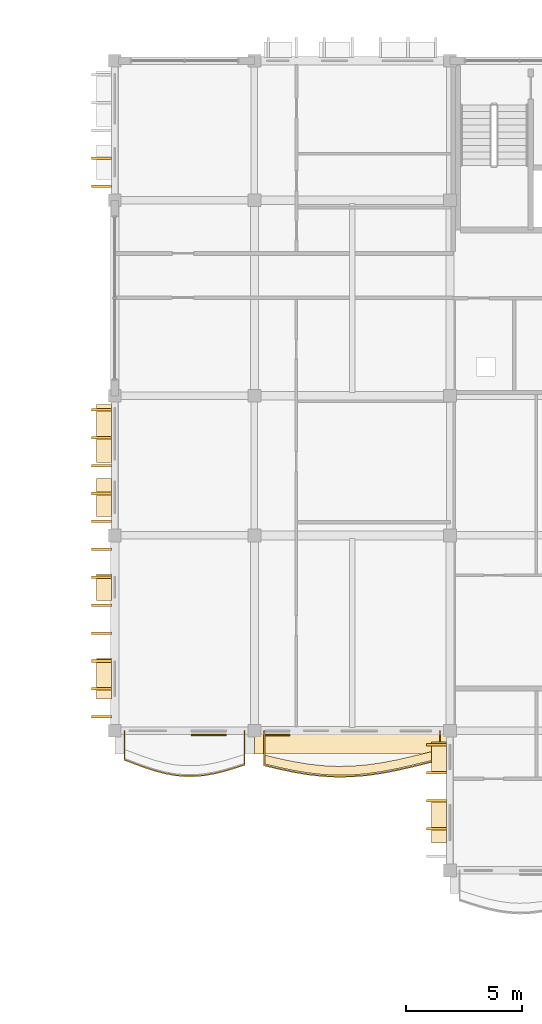
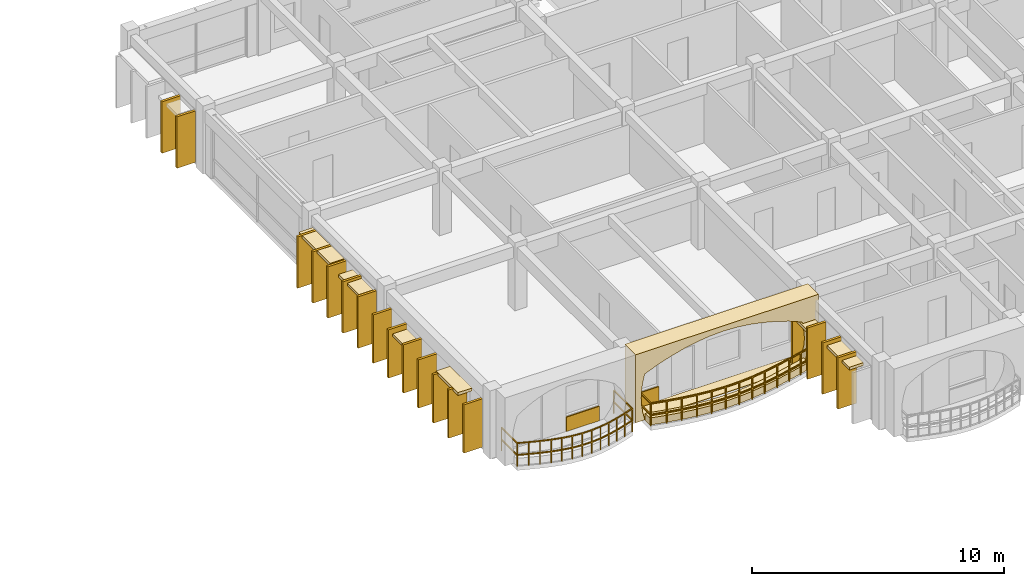
# One storey, part 70 of 79: 28 coverings, 2 railings.
"""IFC4 building model written with IfcOpenShell, lengths in metres."""

import ifcopenshell
import ifcopenshell.guid

model = None  # the IFC model being written
_history = None  # IfcOwnerHistory: only IFC2X3 demands one
_inside = {}  # id of a spatial element -> (the spatial element, [elements in it])
_under = {}  # id of a project, library or spatial element -> (it, [spatial elements below it])
_declared = {}  # id of a project -> (the project, [libraries it declares])
_typed = {}  # id of a type object -> (the type object, [elements of that type])
_made_of = {}  # id of a material, layer set ... -> (it, [elements and type objects made of it])


def new_model(schema):
    """Start an empty IFC model of exactly this schema.

    Asked for "IFC4X3", IfcOpenShell would pick the latest addendum, in which some entities
    have other attributes; the version numbers below select the first issue.
    IFC2X3 requires an IfcOwnerHistory on every rooted entity: one is made here for all.
    """
    global model, _history
    if schema == "IFC4X3":
        model = ifcopenshell.file(schema_version=(4, 3, 0, 0))
    else:
        model = ifcopenshell.file(schema=schema)
    _inside.clear()
    _under.clear()
    _declared.clear()
    _typed.clear()
    _made_of.clear()
    _history = None
    if model.schema == "IFC2X3":
        org = make("IfcOrganization", Name="unknown")
        user = make(
            "IfcPersonAndOrganization",
            ThePerson=make("IfcPerson", FamilyName="unknown"),
            TheOrganization=org,
        )
        app = make(
            "IfcApplication",
            ApplicationDeveloper=org,
            Version="unknown",
            ApplicationFullName="unknown",
            ApplicationIdentifier="unknown",
        )
        _history = make(
            "IfcOwnerHistory",
            OwningUser=user,
            OwningApplication=app,
            ChangeAction="ADDED",
            CreationDate=0,
        )
    return model


def make(cls, **values):
    """One entity of the class cls with the attributes given. An attribute that is None is left unset."""
    return model.create_entity(
        cls, **{name: value for name, value in values.items() if value is not None}
    )


def rooted(cls, **values):
    """An entity with a GlobalId (a new one), such as an element, a storey or a relation."""
    return make(cls, GlobalId=ifcopenshell.guid.new(), OwnerHistory=_history, **values)


def si_unit(unit_type, name, prefix=None):
    """IfcSIUnit, for example si_unit("LENGTHUNIT", "METRE", prefix="MILLI")."""
    return make("IfcSIUnit", UnitType=unit_type, Prefix=prefix, Name=name)


def assignment(units):
    """IfcUnitAssignment: the units of a project."""
    return None if units is None else make("IfcUnitAssignment", Units=units)


def point(xyz):
    """IfcCartesianPoint."""
    return None if xyz is None else make("IfcCartesianPoint", Coordinates=xyz)


def direction(xyz):
    """IfcDirection."""
    return None if xyz is None else make("IfcDirection", DirectionRatios=xyz)


def frame(location, z_axis=None, x_axis=None):
    """IfcAxis2Placement3D, a coordinate frame: its origin and axes. An axis left out is left unset."""
    return make(
        "IfcAxis2Placement3D",
        Location=point(location),
        Axis=direction(z_axis),
        RefDirection=direction(x_axis),
    )


def frame_2d(location, x_axis=None):
    """IfcAxis2Placement2D, a coordinate frame in the plane: its origin and x axis."""
    return make(
        "IfcAxis2Placement2D", Location=point(location), RefDirection=direction(x_axis)
    )


def origin():
    """The frame at (0, 0, 0) with its axes left unset."""
    return frame((0.0, 0.0, 0.0))


def origin_2d():
    """The frame at (0, 0) in the plane with its x axis left unset."""
    return frame_2d((0.0, 0.0))


def place(relative_to, where):
    """IfcLocalPlacement: puts the frame where relative to a parent placement (None: the world)."""
    return make(
        "IfcLocalPlacement", PlacementRelTo=relative_to, RelativePlacement=where
    )


def context(
    kind, dimensions, precision=None, world=None, true_north=None, identifier=None
):
    """IfcGeometricRepresentationContext, for example the 3D "Model" context."""
    return make(
        "IfcGeometricRepresentationContext",
        ContextIdentifier=identifier,
        ContextType=kind,
        CoordinateSpaceDimension=dimensions,
        Precision=precision,
        WorldCoordinateSystem=world,
        TrueNorth=true_north,
    )


def subcontext(parent, identifier, kind, view, scale=None):
    """IfcGeometricRepresentationSubContext, for example "Body" below "Model"."""
    return make(
        "IfcGeometricRepresentationSubContext",
        ContextIdentifier=identifier,
        ContextType=kind,
        ParentContext=parent,
        TargetScale=scale,
        TargetView=view,
    )


def project(units=None, contexts=None):
    """IfcProject with its units and contexts."""
    return rooted(
        "IfcProject",
        Name="project",
        RepresentationContexts=contexts,
        UnitsInContext=assignment(units),
    )


def spatial(cls, under=None, at=None, **own):
    """A site, building, storey or space (cls), placed at a placement, below another one or the project."""
    s = rooted(cls, ObjectPlacement=at, **own)
    if under is not None:
        _under.setdefault(under.id(), (under, []))[1].append(s)
    return s


def polyline(points):
    """IfcPolyline through the points."""
    return make("IfcPolyline", Points=[point(p) for p in points])


def profile(cls, at=None, kind="AREA", **sizes):
    """A parametric profile (cls). Its sizes go by their IFC names, for example OverallWidth=200.0."""
    return make(cls, ProfileType=kind, Position=at, **sizes)


def rectangle(**sizes):
    """IfcRectangleProfileDef."""
    return profile("IfcRectangleProfileDef", **sizes)


def outline(outer, holes=None, kind="AREA"):
    """IfcArbitraryClosedProfileDef: a profile drawn as a closed curve; with holes, ...WithVoids."""
    if holes is None:
        return make("IfcArbitraryClosedProfileDef", ProfileType=kind, OuterCurve=outer)
    return make(
        "IfcArbitraryProfileDefWithVoids",
        ProfileType=kind,
        OuterCurve=outer,
        InnerCurves=holes,
    )


def extrude(swept, where, along, depth):
    """IfcExtrudedAreaSolid: the profile swept, set in the frame where, extruded along a direction by depth."""
    return make(
        "IfcExtrudedAreaSolid",
        SweptArea=swept,
        Position=where,
        ExtrudedDirection=direction(along),
        Depth=depth,
    )


def shape(context_of_items, identifier, shape_type, items):
    """IfcShapeRepresentation: the items that make up one representation, for example the "Body"."""
    return make(
        "IfcShapeRepresentation",
        ContextOfItems=context_of_items,
        RepresentationIdentifier=identifier,
        RepresentationType=shape_type,
        Items=items,
    )


def material(Name=None, Category=None):
    """IfcMaterial."""
    return make("IfcMaterial", Name=Name, Category=Category)


def layer(
    of_material, thickness, ventilated=None, Name=None, Category=None, Priority=None
):
    """IfcMaterialLayer: one layer of a wall or slab, of a material (None: an air gap)."""
    return make(
        "IfcMaterialLayer",
        Material=of_material,
        LayerThickness=thickness,
        IsVentilated=ventilated,
        Name=Name,
        Category=Category,
        Priority=Priority,
    )


def layer_set(layers, Name=None):
    """IfcMaterialLayerSet."""
    return make("IfcMaterialLayerSet", MaterialLayers=layers, LayerSetName=Name)


def made_of(thing, what):
    """Note that an element or type object is made of a material, layer set ...; save() writes the relation."""
    if what is not None:
        _made_of.setdefault(what.id(), (what, []))[1].append(thing)
    return thing


def type_object(cls, material=None, **own):
    """A type object (cls), such as IfcWallType, which elements share."""
    return made_of(rooted(cls, **own), material)


def element(
    cls,
    number,
    at=None,
    inside=None,
    cuts=None,
    type_object=None,
    material=None,
    context=None,
    identifier="Body",
    shape_type=None,
    held_by="IfcProductDefinitionShape",
    body=None,
    shapes=None,
    **own,
):
    """One element of the class cls, such as IfcWall. Its Tag is "e" and its number.

    at: its placement. inside: the storey or other place that contains it. cuts: it is an
    opening in that element (IfcRelVoidsElement). A single representation is given by context,
    identifier, shape_type and body (its items); several are given by shapes. held_by: the class
    of the entity that holds the representations. save() writes the other relations.
    """
    e = rooted(cls, Tag="e%d" % number, ObjectPlacement=at, **own)
    if body is not None:
        shapes = [shape(context, identifier, shape_type, body)]
    if shapes is not None:
        e.Representation = make(held_by, Representations=shapes)
    if inside is not None:
        _inside.setdefault(inside.id(), (inside, []))[1].append(e)
    if cuts is not None:
        rooted(
            "IfcRelVoidsElement", RelatingBuildingElement=cuts, RelatedOpeningElement=e
        )
    if type_object is not None:
        _typed.setdefault(type_object.id(), (type_object, []))[1].append(e)
    return made_of(e, material)


def aggregate(whole, parts):
    """IfcRelAggregates: a whole, such as a stair, and the parts it consists of."""
    return rooted("IfcRelAggregates", RelatingObject=whole, RelatedObjects=parts)


def save(model, path):
    """Write the relations noted so far, then the file.

    IfcRelAggregates (storeys below a building ...), IfcRelContainedInSpatialStructure (elements
    in a storey), IfcRelDefinesByType, IfcRelAssociatesMaterial and IfcRelDeclares: one each for
    every whole, place, type object, material and project.
    """
    for whole, parts in _under.values():
        aggregate(whole, parts)
    for where, things in _inside.values():
        rooted(
            "IfcRelContainedInSpatialStructure",
            RelatedElements=things,
            RelatingStructure=where,
        )
    for kind, things in _typed.values():
        rooted("IfcRelDefinesByType", RelatedObjects=things, RelatingType=kind)
    for what, things in _made_of.values():
        rooted("IfcRelAssociatesMaterial", RelatedObjects=things, RelatingMaterial=what)
    for by, libraries in _declared.values():
        rooted("IfcRelDeclares", RelatingContext=by, RelatedDefinitions=libraries)
    model.write(path)


model = new_model("IFC4")

# Units and contexts
model_context = context("Model", 3, precision=1e-05, world=origin(), true_north=direction((0.0, 1.0)))
body_context = subcontext(model_context, "Body", "Model", "MODEL_VIEW")
ifc_project = project(units=[si_unit("LENGTHUNIT", "METRE"), si_unit("AREAUNIT", "SQUARE_METRE"), si_unit("VOLUMEUNIT", "CUBIC_METRE"), si_unit("PLANEANGLEUNIT", "RADIAN"), si_unit("MASSUNIT", "GRAM", prefix="KILO"), si_unit("THERMODYNAMICTEMPERATUREUNIT", "KELVIN")], contexts=[model_context])

# Site, building, storey
site_placement = place(None, origin())
site = spatial("IfcSite", under=ifc_project, at=site_placement, CompositionType="ELEMENT")
building_placement = place(site_placement, origin())
building = spatial("IfcBuilding", under=site, at=building_placement, Name="Thalorik Housing Commons", CompositionType="ELEMENT")
storey_placement = place(building_placement, frame((0.0, 0.0, 11.39990234375)))
storey = spatial("IfcBuildingStorey", under=building, at=storey_placement, Name="L03", CompositionType="ELEMENT", Elevation=11.39990234375)

# Coverings
ifc_material_1 = material(Name="Cobalt blue glazed ceramic facade tile panel", Category="masonry")
ifc_layer_1 = layer(ifc_material_1, 0.06005859375, Name="Cobalt blue glazed ceramic facade tile panel", Category="masonry")
ifc_layer_set_1 = layer_set([ifc_layer_1], Name="Cobalt blue glazed ceramic facade tile panel")
covering_type_1 = type_object("IfcCoveringType", Name="ARC-CLD-BLU-60", PredefinedType="CLADDING", material=ifc_layer_set_1)
covering_1_placement = place(storey_placement, frame((142.0400390625, 43.02001953125, 0.05029296875), z_axis=(0.0, 0.0, 1.0), x_axis=(1.0, 0.0, 0.0)))
element("IfcCovering", 1, at=covering_1_placement, inside=storey, type_object=covering_type_1, Name="L03 De Stijl Recessed Window Spandrel 4724", PredefinedType="CLADDING", context=body_context, shape_type="SweptSolid", body=[
    extrude(rectangle(XDim=1.52001953125, YDim=0.06005859375, at=origin_2d()), origin(), (0.0, 0.0, 1.0), 0.699951171875),
])
ifc_material_2 = material(Name="Precast concrete C40/50", Category="concrete")
ifc_layer_2 = layer(ifc_material_2, 0.85009765625, Name="Precast concrete C40/50", Category="concrete")
ifc_layer_set_2 = layer_set([ifc_layer_2], Name="Precast concrete C40/50")
covering_type_2 = type_object("IfcCoveringType", Name="ARC-CLD-CUSH-850", PredefinedType="CLADDING", material=ifc_layer_set_2)
covering_2_placement = place(storey_placement, frame((148.199951171875, 42.6298828125, 0.0), z_axis=(0.0, 0.0, 1.0), x_axis=(1.0, 0.0, 0.0)))
element("IfcCovering", 2, at=covering_2_placement, inside=storey, type_object=covering_type_2, Name="L03 White Precast Curved Cushion Bay Frame 4725", PredefinedType="CLADDING", context=body_context, shape_type="SweptSolid", body=[
    extrude(outline(polyline([(-4.199951171875, 0.0), (4.199951171875, 0.0), (4.199951171875, 3.300048828125), (-4.199951171875, 3.300048828125), (-4.199951171875, 0.0)]), holes=[polyline([(3.43994140625, 0.02490234375), (3.6123046875, 0.390869140625), (3.715576171875, 0.756591796875), (3.75, 1.12255859375), (3.715576171875, 1.48828125), (3.6123046875, 1.854248046875), (3.43994140625, 2.219970703125), (2.83837890625, 2.469482421875), (2.23681640625, 2.66552734375), (1.635009765625, 2.824462890625), (1.033203125, 2.9423828125), (0.431640625, 3.015380859375), (-0.169921875, 3.0400390625), (-0.771728515625, 3.015380859375), (-1.373291015625, 2.9423828125), (-1.97509765625, 2.824462890625), (-2.57666015625, 2.66552734375), (-3.17822265625, 2.469482421875), (-3.780029296875, 2.219970703125), (-3.86865234375, 1.854248046875), (-3.921875, 1.48828125), (-3.939697265625, 1.12255859375), (-3.921875, 0.756591796875), (-3.86865234375, 0.390869140625), (-3.780029296875, 0.02490234375), (3.43994140625, 0.02490234375)])]), frame((0.0, 0.425048828125, 0.0), z_axis=(0.0, -1.0, 0.0), x_axis=(1.0, 0.0, 0.0)), (0.0, 0.0, 1.0), 0.85009765625),
])
ifc_layer_3 = layer(ifc_material_2, 0.85009765625, Name="Precast concrete C40/50", Category="concrete")
ifc_layer_set_3 = layer_set([ifc_layer_3], Name="Precast concrete C40/50")
covering_type_3 = type_object("IfcCoveringType", Name="ARC-CLD-FIN-850", PredefinedType="CLADDING", material=ifc_layer_set_3)
for number, where, z_axis, x_axis, name in (
    (3, (137.429931640625, 67.800048828125, 0.0400390625), (0.0, 0.0, 1.0), (0.0, -1.0, 0.0), "L03 Courtyard Precast Vertical Brise-Soleil Fin 4703"),
    (4, (137.429931640625, 66.60009765625, 0.0400390625), (0.0, 0.0, 1.0), (0.0, -1.0, 0.0), "L03 Courtyard Precast Vertical Brise-Soleil Fin 4704"),
    (5, (137.429931640625, 57.0, 0.0400390625), (0.0, 0.0, 1.0), (0.0, -1.0, 0.0), "L03 Courtyard Precast Vertical Brise-Soleil Fin 4707"),
    (6, (137.429931640625, 55.800048828125, 0.0400390625), (0.0, 0.0, 1.0), (0.0, -1.0, 0.0), "L03 Courtyard Precast Vertical Brise-Soleil Fin 4708"),
    (7, (137.429931640625, 54.60009765625, 0.0400390625), (0.0, 0.0, 1.0), (0.0, -1.0, 0.0), "L03 Courtyard Precast Vertical Brise-Soleil Fin 4709"),
    (8, (137.429931640625, 53.39990234375, 0.0400390625), (0.0, 0.0, 1.0), (0.0, -1.0, 0.0), "L03 Courtyard Precast Vertical Brise-Soleil Fin 4710"),
    (9, (137.429931640625, 52.199951171875, 0.0400390625), (0.0, 0.0, 1.0), (0.0, -1.0, 0.0), "L03 Courtyard Precast Vertical Brise-Soleil Fin 4711"),
):
    element("IfcCovering", number, at=place(storey_placement, frame(where, z_axis=z_axis, x_axis=x_axis)), inside=storey, type_object=covering_type_3, Name=name, PredefinedType="CLADDING", context=body_context, shape_type="SweptSolid", body=[
        extrude(rectangle(XDim=0.110107421875, YDim=0.85009765625, at=origin_2d()), origin(), (0.0, 0.0, 1.0), 2.4951171875),
    ])
for number, where, z_axis, x_axis, name in (
    (10, (137.429931640625, 51.0, 0.0400390625), (0.0, 0.0, 1.0), (0.0, -1.0, 0.0), "L03 Courtyard Precast Vertical Brise-Soleil Fin 4714"),
    (11, (137.429931640625, 49.800048828125, 0.0400390625), (0.0, 0.0, 1.0), (0.0, -1.0, 0.0), "L03 Courtyard Precast Vertical Brise-Soleil Fin 4715"),
    (12, (137.429931640625, 48.60009765625, 0.0400390625), (0.0, 0.0, 1.0), (0.0, -1.0, 0.0), "L03 Courtyard Precast Vertical Brise-Soleil Fin 4716"),
    (13, (137.429931640625, 47.39990234375, 0.0400390625), (0.0, 0.0, 1.0), (0.0, -1.0, 0.0), "L03 Courtyard Precast Vertical Brise-Soleil Fin 4717"),
    (14, (137.429931640625, 46.199951171875, 0.0400390625), (0.0, 0.0, 1.0), (0.0, -1.0, 0.0), "L03 Courtyard Precast Vertical Brise-Soleil Fin 4718"),
    (15, (137.429931640625, 45.0, 0.0400390625), (0.0, 0.0, 1.0), (0.0, -1.0, 0.0), "L03 Courtyard Precast Vertical Brise-Soleil Fin 4719"),
    (16, (137.429931640625, 43.800048828125, 0.0400390625), (0.0, 0.0, 1.0), (0.0, -1.0, 0.0), "L03 Courtyard Precast Vertical Brise-Soleil Fin 4720"),
):
    element("IfcCovering", number, at=place(storey_placement, frame(where, z_axis=z_axis, x_axis=x_axis)), inside=storey, type_object=covering_type_3, Name=name, PredefinedType="CLADDING", context=body_context, shape_type="SweptSolid", body=[
        extrude(rectangle(XDim=0.110107421875, YDim=0.85009765625, at=origin_2d()), origin(), (0.0, 0.0, 1.0), 2.344970703125),
    ])
for number, where, z_axis, x_axis, name in (
    (17, (151.830078125, 42.60009765625, 0.0400390625), (0.0, 0.0, 1.0), (0.0, -1.0, 0.0), "L03 Courtyard Precast Vertical Brise-Soleil Fin 4727"),
    (18, (151.830078125, 41.39990234375, 0.0400390625), (0.0, 0.0, 1.0), (0.0, -1.0, 0.0), "L03 Courtyard Precast Vertical Brise-Soleil Fin 4728"),
    (19, (151.830078125, 40.199951171875, 0.0400390625), (0.0, 0.0, 1.0), (0.0, -1.0, 0.0), "L03 Courtyard Precast Vertical Brise-Soleil Fin 4729"),
    (20, (151.830078125, 39.0, 0.0400390625), (0.0, 0.0, 1.0), (0.0, -1.0, 0.0), "L03 Courtyard Precast Vertical Brise-Soleil Fin 4730"),
):
    element("IfcCovering", number, at=place(storey_placement, frame(where, z_axis=z_axis, x_axis=x_axis)), inside=storey, type_object=covering_type_3, Name=name, PredefinedType="CLADDING", context=body_context, shape_type="SweptSolid", body=[
        extrude(rectangle(XDim=0.110107421875, YDim=0.85009765625, at=origin_2d()), origin(), (0.0, 0.0, 1.0), 2.4951171875),
    ])
ifc_layer_4 = layer(ifc_material_2, 0.64990234375, Name="Precast concrete C40/50", Category="concrete")
ifc_layer_set_4 = layer_set([ifc_layer_4], Name="Precast concrete C40/50")
covering_type_4 = type_object("IfcCoveringType", Name="ARC-CLD-HOOD-650", PredefinedType="CLADDING", material=ifc_layer_set_4)
covering_3_placement = place(storey_placement, frame((137.530029296875, 55.969970703125, 2.39013671875), z_axis=(0.0, 0.0, 1.0), x_axis=(0.0, -1.0, 0.0)))
element("IfcCovering", 21, at=covering_3_placement, inside=storey, type_object=covering_type_4, Name="L03 Courtyard Precast Window Sun-Hood 4712", PredefinedType="CLADDING", context=body_context, shape_type="SweptSolid", body=[
    extrude(rectangle(XDim=2.489990234375, YDim=0.64990234375, at=origin_2d()), origin(), (0.0, 0.0, 1.0), 0.139892578125),
])
covering_4_placement = place(storey_placement, frame((137.530029296875, 53.22998046875, 2.27001953125), z_axis=(0.0, 0.0, 1.0), x_axis=(0.0, -1.0, 0.0)))
element("IfcCovering", 22, at=covering_4_placement, inside=storey, type_object=covering_type_4, Name="L03 Courtyard Precast Window Sun-Hood 4713", PredefinedType="CLADDING", context=body_context, shape_type="SweptSolid", body=[
    extrude(rectangle(XDim=1.6201171875, YDim=0.64990234375, at=origin_2d()), origin(), (0.0, 0.0, 1.0), 0.139892578125),
])
covering_5_placement = place(storey_placement, frame((137.530029296875, 49.3701171875, 1.990234375), z_axis=(0.0, 0.0, 1.0), x_axis=(0.0, -1.0, 0.0)))
element("IfcCovering", 23, at=covering_5_placement, inside=storey, type_object=covering_type_4, Name="L03 Courtyard Precast Window Sun-Hood 4721", PredefinedType="CLADDING", context=body_context, shape_type="SweptSolid", body=[
    extrude(rectangle(XDim=1.139892578125, YDim=0.64990234375, at=origin_2d()), origin(), (0.0, 0.0, 1.0), 0.139892578125),
])
covering_6_placement = place(storey_placement, frame((137.530029296875, 45.429931640625, 2.275390625), z_axis=(0.0, 0.0, 1.0), x_axis=(0.0, -1.0, 0.0)))
element("IfcCovering", 24, at=covering_6_placement, inside=storey, type_object=covering_type_4, Name="L03 Courtyard Precast Window Sun-Hood 4722", PredefinedType="CLADDING", context=body_context, shape_type="SweptSolid", body=[
    extrude(rectangle(XDim=1.739990234375, YDim=0.64990234375, at=origin_2d()), origin(), (0.0, 0.0, 1.0), 0.139892578125),
])
covering_7_placement = place(storey_placement, frame((151.929931640625, 42.074951171875, 1.990234375), z_axis=(0.0, 0.0, 1.0), x_axis=(0.0, -1.0, 0.0)))
element("IfcCovering", 25, at=covering_7_placement, inside=storey, type_object=covering_type_4, Name="L03 Courtyard Precast Window Sun-Hood 4732", PredefinedType="CLADDING", context=body_context, shape_type="SweptSolid", body=[
    extrude(rectangle(XDim=1.2900390625, YDim=0.64990234375, at=origin_2d()), origin(), (0.0, 0.0, 1.0), 0.139892578125),
])
covering_8_placement = place(storey_placement, frame((151.929931640625, 39.264892578125, 2.2099609375), z_axis=(0.0, 0.0, 1.0), x_axis=(0.0, -1.0, 0.0)))
element("IfcCovering", 26, at=covering_8_placement, inside=storey, type_object=covering_type_4, Name="L03 Courtyard Precast Window Sun-Hood 4733", PredefinedType="CLADDING", context=body_context, shape_type="SweptSolid", body=[
    extrude(rectangle(XDim=1.760009765625, YDim=0.64990234375, at=origin_2d()), origin(), (0.0, 0.0, 1.0), 0.139892578125),
])
ifc_material_3 = material(Name="Mineral ochre architectural terracotta panel", Category="masonry")
ifc_layer_5 = layer(ifc_material_3, 0.06494140625, Name="Mineral ochre architectural terracotta panel", Category="masonry")
ifc_layer_set_5 = layer_set([ifc_layer_5], Name="Mineral ochre architectural terracotta panel")
covering_type_5 = type_object("IfcCoveringType", Name="ARC-CLD-YEL-65", PredefinedType="CLADDING", material=ifc_layer_set_5)
covering_9_placement = place(storey_placement, frame((144.9951171875, 43.017578125, 0.05029296875), z_axis=(0.0, 0.0, 1.0), x_axis=(1.0, 0.0, 0.0)))
element("IfcCovering", 27, at=covering_9_placement, inside=storey, type_object=covering_type_5, Name="L03 De Stijl Recessed Window Spandrel 4726", PredefinedType="CLADDING", context=body_context, shape_type="SweptSolid", body=[
    extrude(rectangle(XDim=1.050048828125, YDim=0.06494140625, at=origin_2d()), origin(), (0.0, 0.0, 1.0), 0.699951171875),
])
ifc_material_4 = material(Name="Planted vegetated substrate and terracotta trough", Category="masonry")
ifc_layer_6 = layer(ifc_material_4, 0.340087890625, Name="Planted vegetated substrate and terracotta trough", Category="masonry")
ifc_layer_set_6 = layer_set([ifc_layer_6], Name="Planted vegetated substrate and terracotta trough")
covering_type_6 = type_object("IfcCoveringType", Name="ARC-COV-PLANTER", PredefinedType="USERDEFINED", material=ifc_layer_set_6)
covering_10_placement = place(storey_placement, origin())
element("IfcCovering", 28, at=covering_10_placement, inside=storey, type_object=covering_type_6, Name="L03 Balcony Slab-Edge Planted Trough 5664", ObjectType="PLANTER", PredefinedType="USERDEFINED", context=body_context, shape_type="SweptSolid", body=[
    extrude(outline(polyline([(144.419921875, 41.7822265625), (145.050048828125, 41.6298828125), (145.679931640625, 41.496826171875), (146.31005859375, 41.39208984375), (146.93994140625, 41.322509765625), (147.570068359375, 41.292724609375), (148.199951171875, 41.304443359375), (148.830078125, 41.356689453125), (149.4599609375, 41.44580078125), (150.090087890625, 41.5654296875), (150.719970703125, 41.707275390625), (151.35009765625, 41.861328125), (151.97998046875, 42.017333984375), (151.97998046875, 42.3974609375), (151.35009765625, 42.2412109375), (150.719970703125, 42.087158203125), (150.090087890625, 41.9453125), (149.4599609375, 41.825927734375), (148.830078125, 41.73681640625), (148.199951171875, 41.6845703125), (147.570068359375, 41.6728515625), (146.93994140625, 41.70263671875), (146.31005859375, 41.772216796875), (145.679931640625, 41.876953125), (145.050048828125, 42.010009765625), (144.419921875, 42.162109375), (144.419921875, 41.7822265625)])), origin(), (0.0, 0.0, 1.0), 0.340087890625),
])

# Railings
ifc_material_5 = material(Name="Steel S355", Category="steel")
railing_type_1 = type_object("IfcRailingType", Name="ARC-RL-BAL-112", PredefinedType="BALUSTRADE", material=ifc_material_5)
railing_1_placement = place(storey_placement, frame((144.419921875, 43.199951171875, 0.0)))
element("IfcRailing", 29, at=railing_1_placement, inside=storey, type_object=railing_type_1, Name="L03 Cushion Balcony Guardrail 348", PredefinedType="BALUSTRADE", context=body_context, shape_type="SweptSolid", body=[
    extrude(rectangle(XDim=0.050048828125, YDim=0.050048828125, at=origin_2d()), frame((0.0, 0.0, 1.09521484375), z_axis=(0.0, -1.0, 0.0), x_axis=(1.0, 0.0, 0.0)), (0.0, 0.0, 1.0), 1.48779296875),
    extrude(rectangle(XDim=0.050048828125, YDim=0.050048828125, at=origin_2d()), frame((0.0, 0.0, 0.53515625), z_axis=(0.0, -1.0, 0.0), x_axis=(1.0, 0.0, 0.0)), (0.0, 0.0, 1.0), 1.48779296875),
    extrude(rectangle(XDim=0.050048828125, YDim=0.050048828125, at=origin_2d()), frame((0.0, -1.48779296875, 1.09521484375), z_axis=(0.971996245522, -0.234996380165, 0.0), x_axis=(0.234996380165, 0.971996245522, 0.0)), (0.0, 0.0, 1.0), 0.648193359375),
    extrude(rectangle(XDim=0.050048828125, YDim=0.050048828125, at=origin_2d()), frame((0.0, -1.48779296875, 0.53515625), z_axis=(0.971996245522, -0.234996380165, 0.0), x_axis=(0.234996380165, 0.971996245522, 0.0)), (0.0, 0.0, 1.0), 0.648193359375),
    extrude(rectangle(XDim=0.050048828125, YDim=0.050048828125, at=origin_2d()), frame((0.630126953125, -1.64013671875, 1.09521484375), z_axis=(0.978485353896, -0.206316291674, 0.0), x_axis=(0.206316291674, 0.978485353896, 0.0)), (0.0, 0.0, 1.0), 0.643798828125),
    extrude(rectangle(XDim=0.050048828125, YDim=0.050048828125, at=origin_2d()), frame((0.630126953125, -1.64013671875, 0.53515625), z_axis=(0.978485353896, -0.206316291674, 0.0), x_axis=(0.206316291674, 0.978485353896, 0.0)), (0.0, 0.0, 1.0), 0.643798828125),
    extrude(rectangle(XDim=0.050048828125, YDim=0.050048828125, at=origin_2d()), frame((1.260009765625, -1.77294921875, 1.09521484375), z_axis=(0.98646613711, -0.163965119264, 0.0), x_axis=(0.163965119264, 0.98646613711, 0.0)), (0.0, 0.0, 1.0), 0.638671875),
    extrude(rectangle(XDim=0.050048828125, YDim=0.050048828125, at=origin_2d()), frame((1.260009765625, -1.77294921875, 0.53515625), z_axis=(0.98646613711, -0.163965119264, 0.0), x_axis=(0.163965119264, 0.98646613711, 0.0)), (0.0, 0.0, 1.0), 0.638671875),
    extrude(rectangle(XDim=0.050048828125, YDim=0.050048828125, at=origin_2d()), frame((1.89013671875, -1.877685546875, 1.09521484375), z_axis=(0.993954005493, -0.109797244793, 0.0), x_axis=(0.109797244793, 0.993954005493, 0.0)), (0.0, 0.0, 1.0), 0.6337890625),
    extrude(rectangle(XDim=0.050048828125, YDim=0.050048828125, at=origin_2d()), frame((1.89013671875, -1.877685546875, 0.53515625), z_axis=(0.993954005493, -0.109797244793, 0.0), x_axis=(0.109797244793, 0.993954005493, 0.0)), (0.0, 0.0, 1.0), 0.6337890625),
    extrude(rectangle(XDim=0.050048828125, YDim=0.050048828125, at=origin_2d()), frame((2.52001953125, -1.947265625, 1.09521484375), z_axis=(0.998884713002, -0.047215782637, 0.0), x_axis=(0.047215782637, 0.998884713002, 0.0)), (0.0, 0.0, 1.0), 0.630859375),
    extrude(rectangle(XDim=0.050048828125, YDim=0.050048828125, at=origin_2d()), frame((2.52001953125, -1.947265625, 0.53515625), z_axis=(0.998884713002, -0.047215782637, 0.0), x_axis=(0.047215782637, 0.998884713002, 0.0)), (0.0, 0.0, 1.0), 0.630859375),
    extrude(rectangle(XDim=0.050048828125, YDim=0.050048828125, at=origin_2d()), frame((3.150146484375, -1.97705078125, 1.09521484375), z_axis=(0.999826978393, 0.018601432156, 0.0), x_axis=(-0.018601432156, 0.999826978393, 0.0)), (0.0, 0.0, 1.0), 0.6298828125),
    extrude(rectangle(XDim=0.050048828125, YDim=0.050048828125, at=origin_2d()), frame((3.150146484375, -1.97705078125, 0.53515625), z_axis=(0.999826978393, 0.018601432156, 0.0), x_axis=(-0.018601432156, 0.999826978393, 0.0)), (0.0, 0.0, 1.0), 0.6298828125),
    extrude(rectangle(XDim=0.050048828125, YDim=0.050048828125, at=origin_2d()), frame((3.780029296875, -1.96533203125, 1.09521484375), z_axis=(0.996580289475, 0.082630058872, 0.0), x_axis=(-0.082630058872, 0.996580289475, 0.0)), (0.0, 0.0, 1.0), 0.63232421875),
    extrude(rectangle(XDim=0.050048828125, YDim=0.050048828125, at=origin_2d()), frame((3.780029296875, -1.96533203125, 0.53515625), z_axis=(0.996580289475, 0.082630058872, 0.0), x_axis=(-0.082630058872, 0.996580289475, 0.0)), (0.0, 0.0, 1.0), 0.63232421875),
    extrude(rectangle(XDim=0.050048828125, YDim=0.050048828125, at=origin_2d()), frame((4.41015625, -1.9130859375, 1.09521484375), z_axis=(0.990140470078, 0.14007801224, 0.0), x_axis=(-0.14007801224, 0.990140470078, 0.0)), (0.0, 0.0, 1.0), 0.63623046875),
    extrude(rectangle(XDim=0.050048828125, YDim=0.050048828125, at=origin_2d()), frame((4.41015625, -1.9130859375, 0.53515625), z_axis=(0.990140470078, 0.14007801224, 0.0), x_axis=(-0.14007801224, 0.990140470078, 0.0)), (0.0, 0.0, 1.0), 0.63623046875),
    extrude(rectangle(XDim=0.050048828125, YDim=0.050048828125, at=origin_2d()), frame((5.0400390625, -1.823974609375, 1.09521484375), z_axis=(0.982521352242, 0.186149919119, 0.0), x_axis=(-0.186149919119, 0.982521352242, 0.0)), (0.0, 0.0, 1.0), 0.641357421875),
    extrude(rectangle(XDim=0.050048828125, YDim=0.050048828125, at=origin_2d()), frame((5.0400390625, -1.823974609375, 0.53515625), z_axis=(0.982521352242, 0.186149919119, 0.0), x_axis=(-0.186149919119, 0.982521352242, 0.0)), (0.0, 0.0, 1.0), 0.641357421875),
    extrude(rectangle(XDim=0.050048828125, YDim=0.050048828125, at=origin_2d()), frame((5.670166015625, -1.70458984375, 1.09521484375), z_axis=(0.975569249929, 0.219692145042, 0.0), x_axis=(-0.219692145042, 0.975569249929, 0.0)), (0.0, 0.0, 1.0), 0.645751953125),
    extrude(rectangle(XDim=0.050048828125, YDim=0.050048828125, at=origin_2d()), frame((5.670166015625, -1.70458984375, 0.53515625), z_axis=(0.975569249929, 0.219692145042, 0.0), x_axis=(-0.219692145042, 0.975569249929, 0.0)), (0.0, 0.0, 1.0), 0.645751953125),
    extrude(rectangle(XDim=0.050048828125, YDim=0.050048828125, at=origin_2d()), frame((6.300048828125, -1.562744140625, 1.09521484375), z_axis=(0.971391289327, 0.237484658491, 0.0), x_axis=(-0.237484658491, 0.971391289328, 0.0)), (0.0, 0.0, 1.0), 0.648681640625),
    extrude(rectangle(XDim=0.050048828125, YDim=0.050048828125, at=origin_2d()), frame((6.300048828125, -1.562744140625, 0.53515625), z_axis=(0.971391289327, 0.237484658491, 0.0), x_axis=(-0.237484658491, 0.971391289328, 0.0)), (0.0, 0.0, 1.0), 0.648681640625),
    extrude(rectangle(XDim=0.050048828125, YDim=0.050048828125, at=origin_2d()), frame((6.93017578125, -1.40869140625, 1.09521484375), z_axis=(0.970583467402, 0.240764891139, 0.0), x_axis=(-0.240764891139, 0.970583467402, 0.0)), (0.0, 0.0, 1.0), 0.64892578125),
    extrude(rectangle(XDim=0.050048828125, YDim=0.050048828125, at=origin_2d()), frame((6.93017578125, -1.40869140625, 0.53515625), z_axis=(0.970583467402, 0.240764891139, 0.0), x_axis=(-0.240764891139, 0.970583467402, 0.0)), (0.0, 0.0, 1.0), 0.64892578125),
    extrude(rectangle(XDim=0.050048828125, YDim=0.050048828125, at=origin_2d()), frame((7.56005859375, -1.25244140625, 1.09521484375), z_axis=(0.0, 1.0, 0.0), x_axis=(-1.0, 0.0, 0.0)), (0.0, 0.0, 1.0), 1.25244140625),
    extrude(rectangle(XDim=0.050048828125, YDim=0.050048828125, at=origin_2d()), frame((7.56005859375, -1.25244140625, 0.53515625), z_axis=(0.0, 1.0, 0.0), x_axis=(-1.0, 0.0, 0.0)), (0.0, 0.0, 1.0), 1.25244140625),
    extrude(rectangle(XDim=0.0419921875, YDim=0.0419921875, at=origin_2d()), origin(), (0.0, 0.0, 1.0), 1.070068359375),
    extrude(rectangle(XDim=0.0419921875, YDim=0.0419921875, at=origin_2d()), frame((0.0, -1.48779296875, 0.0)), (0.0, 0.0, 1.0), 1.070068359375),
    extrude(rectangle(XDim=0.0419921875, YDim=0.0419921875, at=origin_2d()), frame((0.630126953125, -1.64013671875, 0.0)), (0.0, 0.0, 1.0), 1.070068359375),
    extrude(rectangle(XDim=0.0419921875, YDim=0.0419921875, at=origin_2d()), frame((1.260009765625, -1.77294921875, 0.0)), (0.0, 0.0, 1.0), 1.070068359375),
    extrude(rectangle(XDim=0.0419921875, YDim=0.0419921875, at=origin_2d()), frame((1.89013671875, -1.877685546875, 0.0)), (0.0, 0.0, 1.0), 1.070068359375),
    extrude(rectangle(XDim=0.0419921875, YDim=0.0419921875, at=origin_2d()), frame((2.52001953125, -1.947265625, 0.0)), (0.0, 0.0, 1.0), 1.070068359375),
    extrude(rectangle(XDim=0.0419921875, YDim=0.0419921875, at=origin_2d()), frame((3.150146484375, -1.97705078125, 0.0)), (0.0, 0.0, 1.0), 1.070068359375),
    extrude(rectangle(XDim=0.0419921875, YDim=0.0419921875, at=origin_2d()), frame((3.780029296875, -1.96533203125, 0.0)), (0.0, 0.0, 1.0), 1.070068359375),
    extrude(rectangle(XDim=0.0419921875, YDim=0.0419921875, at=origin_2d()), frame((4.41015625, -1.9130859375, 0.0)), (0.0, 0.0, 1.0), 1.070068359375),
    extrude(rectangle(XDim=0.0419921875, YDim=0.0419921875, at=origin_2d()), frame((5.0400390625, -1.823974609375, 0.0)), (0.0, 0.0, 1.0), 1.070068359375),
    extrude(rectangle(XDim=0.0419921875, YDim=0.0419921875, at=origin_2d()), frame((5.670166015625, -1.70458984375, 0.0)), (0.0, 0.0, 1.0), 1.070068359375),
    extrude(rectangle(XDim=0.0419921875, YDim=0.0419921875, at=origin_2d()), frame((6.300048828125, -1.562744140625, 0.0)), (0.0, 0.0, 1.0), 1.070068359375),
    extrude(rectangle(XDim=0.0419921875, YDim=0.0419921875, at=origin_2d()), frame((6.93017578125, -1.40869140625, 0.0)), (0.0, 0.0, 1.0), 1.070068359375),
    extrude(rectangle(XDim=0.0419921875, YDim=0.0419921875, at=origin_2d()), frame((7.56005859375, -1.25244140625, 0.0)), (0.0, 0.0, 1.0), 1.070068359375),
    extrude(rectangle(XDim=0.0419921875, YDim=0.0419921875, at=origin_2d()), frame((7.56005859375, 0.0, 0.0)), (0.0, 0.0, 1.0), 1.070068359375),
])
railing_type_2 = type_object("IfcRailingType", Name="ARC-RL-BAL-115", PredefinedType="BALUSTRADE", material=ifc_material_5)
railing_2_placement = place(storey_placement, frame((138.419921875, 43.199951171875, 0.0)))
element("IfcRailing", 30, at=railing_2_placement, inside=storey, type_object=railing_type_2, Name="L03 Cushion Balcony Guardrail 347", PredefinedType="BALUSTRADE", context=body_context, shape_type="SweptSolid", body=[
    extrude(rectangle(XDim=0.050048828125, YDim=0.050048828125, at=origin_2d()), frame((0.0, 0.0, 1.125), z_axis=(0.0, -1.0, 0.0), x_axis=(1.0, 0.0, 0.0)), (0.0, 0.0, 1.0), 1.251953125),
    extrude(rectangle(XDim=0.050048828125, YDim=0.050048828125, at=origin_2d()), frame((0.0, 0.0, 0.5498046875), z_axis=(0.0, -1.0, 0.0), x_axis=(1.0, 0.0, 0.0)), (0.0, 0.0, 1.0), 1.251953125),
    extrude(rectangle(XDim=0.050048828125, YDim=0.050048828125, at=origin_2d()), frame((0.0, -1.251953125, 1.125), z_axis=(0.933999817162, -0.357273482842, 0.0), x_axis=(0.357273482842, 0.933999817162, 0.0)), (0.0, 0.0, 1.0), 0.460693359375),
    extrude(rectangle(XDim=0.050048828125, YDim=0.050048828125, at=origin_2d()), frame((0.0, -1.251953125, 0.5498046875), z_axis=(0.933999817162, -0.357273482842, 0.0), x_axis=(0.357273482842, 0.933999817162, 0.0)), (0.0, 0.0, 1.0), 0.460693359375),
    extrude(rectangle(XDim=0.050048828125, YDim=0.050048828125, at=origin_2d()), frame((0.43017578125, -1.41650390625, 1.125), z_axis=(0.938996898156, -0.343925610057, 0.0), x_axis=(0.343925610057, 0.938996898156, 0.0)), (0.0, 0.0, 1.0), 0.457763671875),
    extrude(rectangle(XDim=0.050048828125, YDim=0.050048828125, at=origin_2d()), frame((0.43017578125, -1.41650390625, 0.5498046875), z_axis=(0.938996898156, -0.343925610057, 0.0), x_axis=(0.343925610057, 0.938996898156, 0.0)), (0.0, 0.0, 1.0), 0.457763671875),
    extrude(rectangle(XDim=0.050048828125, YDim=0.050048828125, at=origin_2d()), frame((0.860107421875, -1.573974609375, 1.125), z_axis=(0.950608707094, -0.310391826564, 0.0), x_axis=(0.310391826564, 0.950608707094, 0.0)), (0.0, 0.0, 1.0), 0.4521484375),
    extrude(rectangle(XDim=0.050048828125, YDim=0.050048828125, at=origin_2d()), frame((0.860107421875, -1.573974609375, 0.5498046875), z_axis=(0.950608707094, -0.310391826564, 0.0), x_axis=(0.310391826564, 0.950608707094, 0.0)), (0.0, 0.0, 1.0), 0.4521484375),
    extrude(rectangle(XDim=0.050048828125, YDim=0.050048828125, at=origin_2d()), frame((1.2900390625, -1.71435546875, 1.125), z_axis=(0.966725195305, -0.25581711585, 0.0), x_axis=(0.25581711585, 0.966725195305, 0.0)), (0.0, 0.0, 1.0), 0.44482421875),
    extrude(rectangle(XDim=0.050048828125, YDim=0.050048828125, at=origin_2d()), frame((1.2900390625, -1.71435546875, 0.5498046875), z_axis=(0.966725195305, -0.25581711585, 0.0), x_axis=(0.25581711585, 0.966725195305, 0.0)), (0.0, 0.0, 1.0), 0.44482421875),
    extrude(rectangle(XDim=0.050048828125, YDim=0.050048828125, at=origin_2d()), frame((1.719970703125, -1.828125, 1.125), z_axis=(0.983010854985, -0.18354742979, 0.0), x_axis=(0.18354742979, 0.983010854985, 0.0)), (0.0, 0.0, 1.0), 0.4375),
    extrude(rectangle(XDim=0.050048828125, YDim=0.050048828125, at=origin_2d()), frame((1.719970703125, -1.828125, 0.5498046875), z_axis=(0.983010854985, -0.18354742979, 0.0), x_axis=(0.18354742979, 0.983010854985, 0.0)), (0.0, 0.0, 1.0), 0.4375),
    extrude(rectangle(XDim=0.050048828125, YDim=0.050048828125, at=origin_2d()), frame((2.150146484375, -1.908447265625, 1.125), z_axis=(0.995318495668, -0.096649325814, 0.0), x_axis=(0.096649325814, 0.995318495668, 0.0)), (0.0, 0.0, 1.0), 0.431884765625),
    extrude(rectangle(XDim=0.050048828125, YDim=0.050048828125, at=origin_2d()), frame((2.150146484375, -1.908447265625, 0.5498046875), z_axis=(0.995318495668, -0.096649325814, 0.0), x_axis=(0.096649325814, 0.995318495668, 0.0)), (0.0, 0.0, 1.0), 0.431884765625),
    extrude(rectangle(XDim=0.050048828125, YDim=0.050048828125, at=origin_2d()), frame((2.580078125, -1.9501953125, 1.125), z_axis=(0.999997420298, -0.002271430824, 0.0), x_axis=(0.002271430824, 0.999997420298, 0.0)), (0.0, 0.0, 1.0), 0.429931640625),
    extrude(rectangle(XDim=0.050048828125, YDim=0.050048828125, at=origin_2d()), frame((2.580078125, -1.9501953125, 0.5498046875), z_axis=(0.999997420298, -0.002271430824, 0.0), x_axis=(0.002271430824, 0.999997420298, 0.0)), (0.0, 0.0, 1.0), 0.429931640625),
    extrude(rectangle(XDim=0.050048828125, YDim=0.050048828125, at=origin_2d()), frame((3.010009765625, -1.951171875, 1.125), z_axis=(0.995953216598, 0.089873190374, 0.0), x_axis=(-0.089873190374, 0.995953216598, 0.0)), (0.0, 0.0, 1.0), 0.431884765625),
    extrude(rectangle(XDim=0.050048828125, YDim=0.050048828125, at=origin_2d()), frame((3.010009765625, -1.951171875, 0.5498046875), z_axis=(0.995953216598, 0.089873190374, 0.0), x_axis=(-0.089873190374, 0.995953216598, 0.0)), (0.0, 0.0, 1.0), 0.431884765625),
    extrude(rectangle(XDim=0.050048828125, YDim=0.050048828125, at=origin_2d()), frame((3.440185546875, -1.912353515625, 1.125), z_axis=(0.984952013954, 0.17282803652, 0.0), x_axis=(-0.17282803652, 0.984952013954, 0.0)), (0.0, 0.0, 1.0), 0.4365234375),
    extrude(rectangle(XDim=0.050048828125, YDim=0.050048828125, at=origin_2d()), frame((3.440185546875, -1.912353515625, 0.5498046875), z_axis=(0.984952013954, 0.17282803652, 0.0), x_axis=(-0.17282803652, 0.984952013954, 0.0)), (0.0, 0.0, 1.0), 0.4365234375),
    extrude(rectangle(XDim=0.050048828125, YDim=0.050048828125, at=origin_2d()), frame((3.8701171875, -1.8369140625, 1.125), z_axis=(0.97094790474, 0.239290965734, 0.0), x_axis=(-0.239290965734, 0.97094790474, 0.0)), (0.0, 0.0, 1.0), 0.44287109375),
    extrude(rectangle(XDim=0.050048828125, YDim=0.050048828125, at=origin_2d()), frame((3.8701171875, -1.8369140625, 0.5498046875), z_axis=(0.97094790474, 0.239290965734, 0.0), x_axis=(-0.239290965734, 0.97094790474, 0.0)), (0.0, 0.0, 1.0), 0.44287109375),
    extrude(rectangle(XDim=0.050048828125, YDim=0.050048828125, at=origin_2d()), frame((4.300048828125, -1.73095703125, 1.125), z_axis=(0.957721442929, 0.287697128512, 0.0), x_axis=(-0.287697128512, 0.957721442929, 0.0)), (0.0, 0.0, 1.0), 0.448974609375),
    extrude(rectangle(XDim=0.050048828125, YDim=0.050048828125, at=origin_2d()), frame((4.300048828125, -1.73095703125, 0.5498046875), z_axis=(0.957721442929, 0.287697128512, 0.0), x_axis=(-0.287697128512, 0.957721442929, 0.0)), (0.0, 0.0, 1.0), 0.448974609375),
    extrude(rectangle(XDim=0.050048828125, YDim=0.050048828125, at=origin_2d()), frame((4.72998046875, -1.601806640625, 1.125), z_axis=(0.949381422447, 0.314125635236, 0.0), x_axis=(-0.314125635236, 0.949381422447, 0.0)), (0.0, 0.0, 1.0), 0.453125),
    extrude(rectangle(XDim=0.050048828125, YDim=0.050048828125, at=origin_2d()), frame((4.72998046875, -1.601806640625, 0.5498046875), z_axis=(0.949381422447, 0.314125635236, 0.0), x_axis=(-0.314125635236, 0.949381422447, 0.0)), (0.0, 0.0, 1.0), 0.453125),
    extrude(rectangle(XDim=0.050048828125, YDim=0.050048828125, at=origin_2d()), frame((5.16015625, -1.45947265625, 1.125), z_axis=(0.0, 1.0, 0.0), x_axis=(-1.0, 0.0, 0.0)), (0.0, 0.0, 1.0), 1.45947265625),
    extrude(rectangle(XDim=0.050048828125, YDim=0.050048828125, at=origin_2d()), frame((5.16015625, -1.45947265625, 0.5498046875), z_axis=(0.0, 1.0, 0.0), x_axis=(-1.0, 0.0, 0.0)), (0.0, 0.0, 1.0), 1.45947265625),
    extrude(rectangle(XDim=0.0419921875, YDim=0.0419921875, at=origin_2d()), origin(), (0.0, 0.0, 1.0), 1.099853515625),
    extrude(rectangle(XDim=0.0419921875, YDim=0.0419921875, at=origin_2d()), frame((0.0, -1.251953125, 0.0)), (0.0, 0.0, 1.0), 1.099853515625),
    extrude(rectangle(XDim=0.0419921875, YDim=0.0419921875, at=origin_2d()), frame((0.43017578125, -1.41650390625, 0.0)), (0.0, 0.0, 1.0), 1.099853515625),
    extrude(rectangle(XDim=0.0419921875, YDim=0.0419921875, at=origin_2d()), frame((0.860107421875, -1.573974609375, 0.0)), (0.0, 0.0, 1.0), 1.099853515625),
    extrude(rectangle(XDim=0.0419921875, YDim=0.0419921875, at=origin_2d()), frame((1.2900390625, -1.71435546875, 0.0)), (0.0, 0.0, 1.0), 1.099853515625),
    extrude(rectangle(XDim=0.0419921875, YDim=0.0419921875, at=origin_2d()), frame((1.719970703125, -1.828125, 0.0)), (0.0, 0.0, 1.0), 1.099853515625),
    extrude(rectangle(XDim=0.0419921875, YDim=0.0419921875, at=origin_2d()), frame((2.150146484375, -1.908447265625, 0.0)), (0.0, 0.0, 1.0), 1.099853515625),
    extrude(rectangle(XDim=0.0419921875, YDim=0.0419921875, at=origin_2d()), frame((2.580078125, -1.9501953125, 0.0)), (0.0, 0.0, 1.0), 1.099853515625),
    extrude(rectangle(XDim=0.0419921875, YDim=0.0419921875, at=origin_2d()), frame((3.010009765625, -1.951171875, 0.0)), (0.0, 0.0, 1.0), 1.099853515625),
    extrude(rectangle(XDim=0.0419921875, YDim=0.0419921875, at=origin_2d()), frame((3.440185546875, -1.912353515625, 0.0)), (0.0, 0.0, 1.0), 1.099853515625),
    extrude(rectangle(XDim=0.0419921875, YDim=0.0419921875, at=origin_2d()), frame((3.8701171875, -1.8369140625, 0.0)), (0.0, 0.0, 1.0), 1.099853515625),
    extrude(rectangle(XDim=0.0419921875, YDim=0.0419921875, at=origin_2d()), frame((4.300048828125, -1.73095703125, 0.0)), (0.0, 0.0, 1.0), 1.099853515625),
    extrude(rectangle(XDim=0.0419921875, YDim=0.0419921875, at=origin_2d()), frame((4.72998046875, -1.601806640625, 0.0)), (0.0, 0.0, 1.0), 1.099853515625),
    extrude(rectangle(XDim=0.0419921875, YDim=0.0419921875, at=origin_2d()), frame((5.16015625, -1.45947265625, 0.0)), (0.0, 0.0, 1.0), 1.099853515625),
    extrude(rectangle(XDim=0.0419921875, YDim=0.0419921875, at=origin_2d()), frame((5.16015625, 0.0, 0.0)), (0.0, 0.0, 1.0), 1.099853515625),
])

save(model, "model.ifc")
